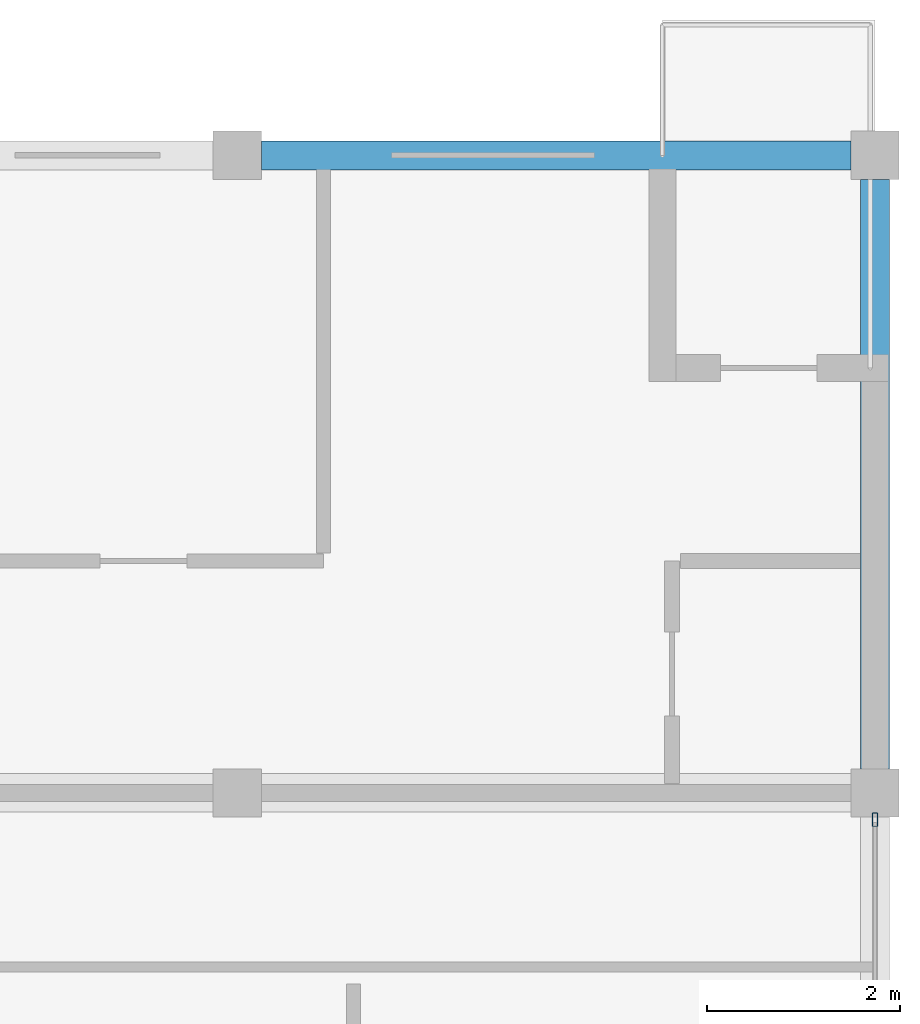
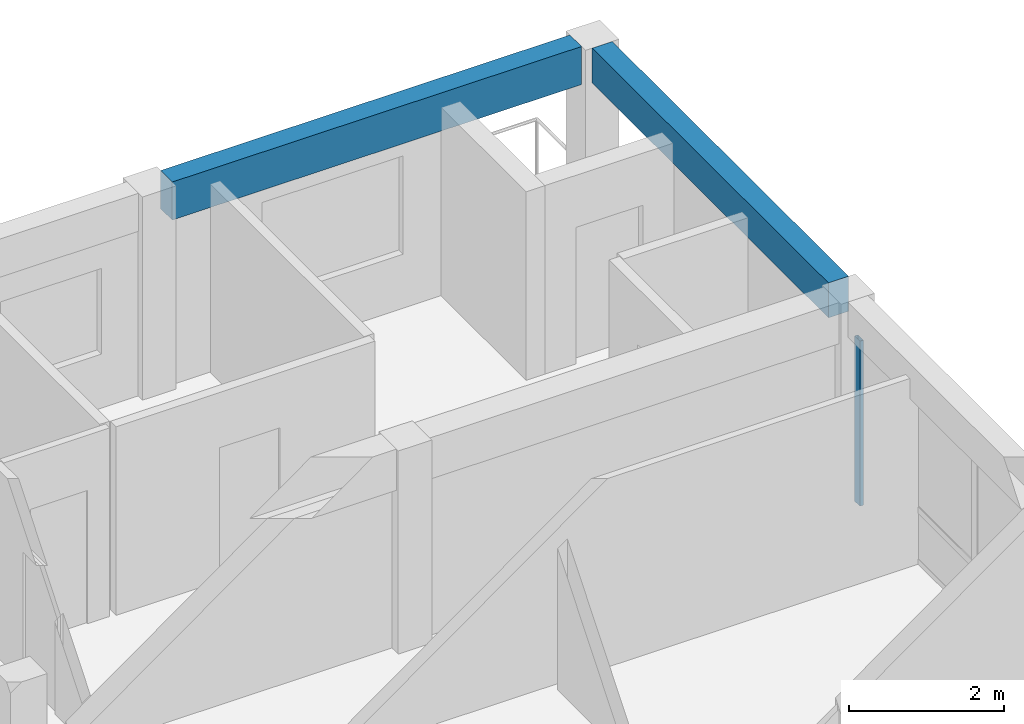
# One storey, part 23 of 49: 2 beams, 1 member, 1 element without a shape of its own.
"""IFC4 building model written with IfcOpenShell, lengths in metres."""

from ifc_helpers import new_model, si_unit, direction, frame, origin, origin_2d, place, context, subcontext, project, spatial, rectangle, hollow_rectangle, extrude, material, material_profile, profile_set, type_object, element, aggregate, save


model = new_model("IFC4")

# Units and contexts
model_context = context("Model", 3, precision=1e-05, world=origin(), true_north=direction((0.0, 1.0)))
body_context = subcontext(model_context, "Body", "Model", "MODEL_VIEW")
ifc_project = project(units=[si_unit("LENGTHUNIT", "METRE"), si_unit("AREAUNIT", "SQUARE_METRE"), si_unit("VOLUMEUNIT", "CUBIC_METRE"), si_unit("PLANEANGLEUNIT", "RADIAN"), si_unit("MASSUNIT", "GRAM", prefix="KILO")], contexts=[model_context])

# Site, building, storey
site_placement = place(None, origin())
site = spatial("IfcSite", under=ifc_project, at=site_placement, CompositionType="ELEMENT")
building_placement = place(site_placement, origin())
building = spatial("IfcBuilding", under=site, at=building_placement, Name="Kernevlak Ridge Housing Community", CompositionType="ELEMENT")
storey_placement = place(building_placement, frame((0.0, 0.0, 30.800048828125)))
storey = spatial("IfcBuildingStorey", under=building, at=storey_placement, Name="L09", CompositionType="ELEMENT", Elevation=30.800048828125)

# Curtain wall, member
ifc_material_1 = material(Name="Aluminium EN AW-6060 anodised and laminated glass", Category="aluminium")
curtain_wall_type = type_object("IfcCurtainWallType", Name="CW-13", PredefinedType="NOTDEFINED", material=ifc_material_1)
curtain_wall_placement = place(storey_placement, origin())
curtain_wall = element("IfcCurtainWall", 1, at=curtain_wall_placement, inside=storey, type_object=curtain_wall_type, Name="Curtain wall CW-13 CW-L09-084", PredefinedType="NOTDEFINED")
ifc_material_2 = material(Name="Aluminium EN AW-6060 anodised", Category="aluminium")
ifc_material_profile_1 = material_profile(ifc_material_2, hollow_rectangle(XDim=0.054931640625, YDim=0.139892578125, WallThickness=0.00390625, InnerFilletRadius=0.001953125, OuterFilletRadius=0.00390625, at=origin_2d()), Name="ALU 55x140x4")
ifc_profile_set_1 = profile_set([ifc_material_profile_1], Name="Aluminium EN AW-6060 anodised")
member_type = type_object("IfcMemberType", Name="MU-01", PredefinedType="MULLION", material=ifc_profile_set_1)
member_placement = place(storey_placement, frame((152.39990234375, 95.5224609375, 0.0), z_axis=(0.0, 0.0, 1.0), x_axis=(-1.0, 0.0, 0.0)))
member = element("IfcMember", 2, at=member_placement, type_object=member_type, Name="CW-13 mullion 3", PredefinedType="MULLION", context=body_context, shape_type="SweptSolid", body=[
    extrude(hollow_rectangle(XDim=0.054931640625, YDim=0.139892578125, WallThickness=0.00390625, InnerFilletRadius=0.001953125, OuterFilletRadius=0.00390625, at=origin_2d()), origin(), (0.0, 0.0, 1.0), 2.599853515625),
])
aggregate(curtain_wall, [member])

# Beams
ifc_material_3 = material(Name="Concrete C35/45", Category="concrete")
ifc_material_profile_2 = material_profile(ifc_material_3, rectangle(XDim=0.300048828125, YDim=0.550048828125, at=origin_2d()), Name="RC 300x550")
ifc_profile_set_2 = profile_set([ifc_material_profile_2], Name="Concrete C35/45")
beam_type_1 = type_object("IfcBeamType", Name="SP-01", PredefinedType="SPANDREL", material=ifc_profile_set_2)
beam_1_placement = place(storey_placement, frame((152.39990234375, 96.050048828125, 2.925048828125), z_axis=(0.0, 1.0, 0.0), x_axis=(-1.0, 0.0, 0.0)))
element("IfcBeam", 3, at=beam_1_placement, inside=storey, type_object=beam_type_1, Name="Beam SP-01 L09 836", PredefinedType="SPANDREL", context=body_context, shape_type="SweptSolid", body=[
    extrude(rectangle(XDim=0.300048828125, YDim=0.550048828125, at=origin_2d()), origin(), (0.0, 0.0, 1.0), 6.099853515625),
])
ifc_material_profile_3 = material_profile(ifc_material_3, rectangle(XDim=0.300048828125, YDim=0.60009765625, at=origin_2d()), Name="RC 300x600")
ifc_profile_set_3 = profile_set([ifc_material_profile_3], Name="Concrete C35/45")
beam_type_2 = type_object("IfcBeamType", Name="SP-02", PredefinedType="SPANDREL", material=ifc_profile_set_3)
beam_2_placement = place(storey_placement, frame((146.050048828125, 102.39990234375, 2.89990234375), z_axis=(1.0, 0.0, 0.0), x_axis=(0.0, 1.0, 0.0)))
element("IfcBeam", 4, at=beam_2_placement, inside=storey, type_object=beam_type_2, Name="Beam SP-02 L09 830", PredefinedType="SPANDREL", context=body_context, shape_type="SweptSolid", body=[
    extrude(rectangle(XDim=0.300048828125, YDim=0.60009765625, at=origin_2d()), origin(), (0.0, 0.0, 1.0), 6.099853515625),
])

save(model, "model.ifc")
